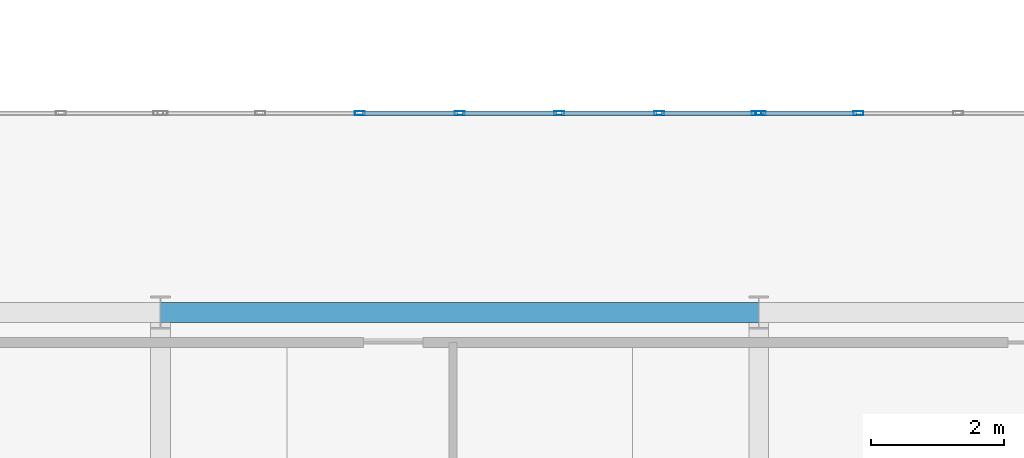
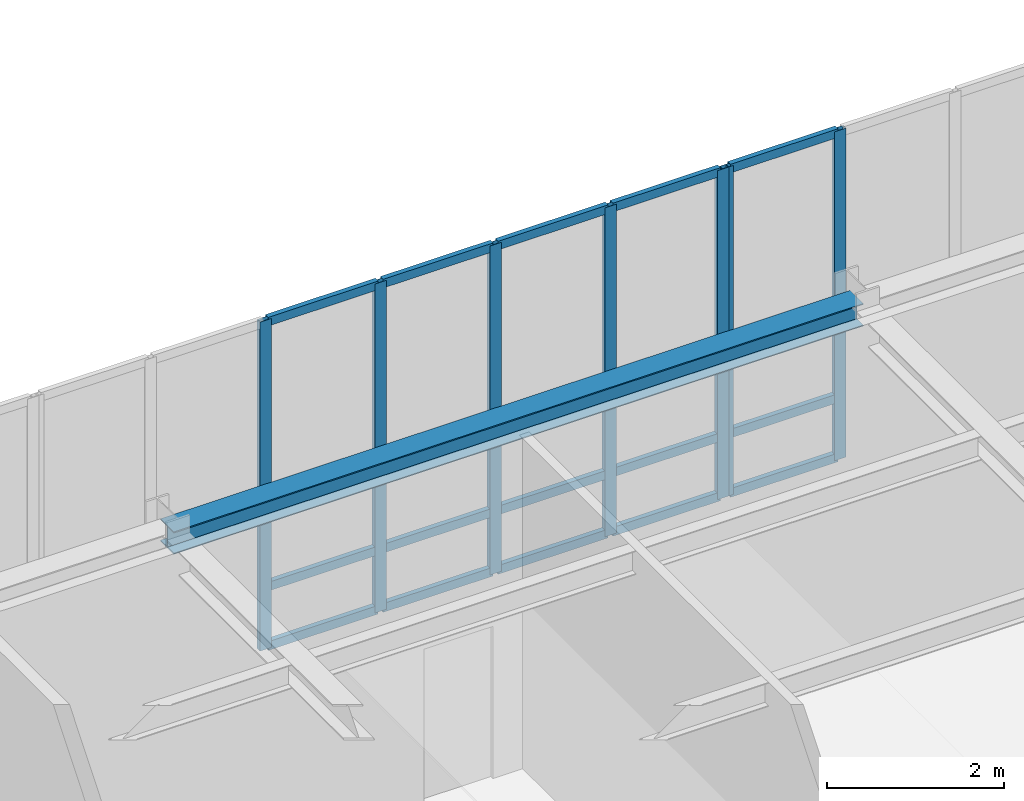
# One storey, part 18 of 98: 22 members, 1 beam, 2 elements without a shape of their own.
"""IFC4 building model written with IfcOpenShell, lengths in metres."""

from ifc_helpers import new_model, si_unit, direction, frame, origin, origin_2d, place, context, subcontext, project, spatial, hollow_rectangle, i_section, extrude, material, material_profile, profile_set, type_object, element, aggregate, save


model = new_model("IFC4")

# Units and contexts
model_context = context("Model", 3, precision=1e-05, world=origin(), true_north=direction((0.0, 1.0)))
body_context = subcontext(model_context, "Body", "Model", "MODEL_VIEW")
ifc_project = project(units=[si_unit("LENGTHUNIT", "METRE"), si_unit("AREAUNIT", "SQUARE_METRE"), si_unit("VOLUMEUNIT", "CUBIC_METRE"), si_unit("PLANEANGLEUNIT", "RADIAN"), si_unit("MASSUNIT", "GRAM", prefix="KILO")], contexts=[model_context])

# Site, building, storey
site_placement = place(None, origin())
site = spatial("IfcSite", under=ifc_project, at=site_placement, CompositionType="ELEMENT")
building_placement = place(site_placement, origin())
building = spatial("IfcBuilding", under=site, at=building_placement, Name="Lykobir Media Centre", CompositionType="ELEMENT")
storey_placement = place(building_placement, frame((0.0, 0.0, 10.199951171875)))
storey = spatial("IfcBuildingStorey", under=building, at=storey_placement, Name="L02", CompositionType="ELEMENT", Elevation=10.199951171875)

# Curtain wall, members
ifc_material_1 = material(Name="Anodized Aluminium AW-6060", Category="aluminium")
curtain_wall_type = type_object("IfcCurtainWallType", Name="CW-COURT-A", PredefinedType="NOTDEFINED", material=ifc_material_1)
curtain_wall_1_placement = place(storey_placement, origin())
curtain_wall_1 = element("IfcCurtainWall", 1, at=curtain_wall_1_placement, inside=storey, type_object=curtain_wall_type, Name="Curtain wall CW2-L02-0074", PredefinedType="NOTDEFINED")
ifc_material_profile_1 = material_profile(ifc_material_1, hollow_rectangle(XDim=0.06494140625, YDim=0.14990234375, WallThickness=0.00341796875, at=origin_2d()), Name="ALU MULLION 65x150")
ifc_profile_set_1 = profile_set([ifc_material_profile_1], Name="Anodized Aluminium AW-6060")
member_type_1 = type_object("IfcMemberType", Name="CWM-150", PredefinedType="MULLION", material=ifc_profile_set_1)
member_1_placement = place(storey_placement, frame((48.0, 21.0, 0.0), z_axis=(0.0, 0.0, 1.0), x_axis=(0.0, 1.0, 0.0)))
member_1 = element("IfcMember", 2, at=member_1_placement, type_object=member_type_1, Name="CW2-L02-0074 mullion 3", PredefinedType="MULLION", context=body_context, shape_type="SweptSolid", body=[
    extrude(hollow_rectangle(XDim=0.06494140625, YDim=0.14990234375, WallThickness=0.00341796875, at=origin_2d()), origin(), (0.0, 0.0, 1.0), 4.5400390625),
])
member_2_placement = place(storey_placement, frame((49.5, 21.0, 0.0), z_axis=(0.0, 0.0, 1.0), x_axis=(0.0, 1.0, 0.0)))
member_2 = element("IfcMember", 3, at=member_2_placement, type_object=member_type_1, Name="CW2-L02-0074 mullion 4", PredefinedType="MULLION", context=body_context, shape_type="SweptSolid", body=[
    extrude(hollow_rectangle(XDim=0.06494140625, YDim=0.14990234375, WallThickness=0.00341796875, at=origin_2d()), origin(), (0.0, 0.0, 1.0), 4.5400390625),
])
member_3_placement = place(storey_placement, frame((51.0, 21.0, 0.0), z_axis=(0.0, 0.0, 1.0), x_axis=(0.0, 1.0, 0.0)))
member_3 = element("IfcMember", 4, at=member_3_placement, type_object=member_type_1, Name="CW2-L02-0074 mullion 5", PredefinedType="MULLION", context=body_context, shape_type="SweptSolid", body=[
    extrude(hollow_rectangle(XDim=0.06494140625, YDim=0.14990234375, WallThickness=0.00341796875, at=origin_2d()), origin(), (0.0, 0.0, 1.0), 4.5400390625),
])
member_4_placement = place(storey_placement, frame((52.5, 21.0, 0.0), z_axis=(0.0, 0.0, 1.0), x_axis=(0.0, 1.0, 0.0)))
member_4 = element("IfcMember", 5, at=member_4_placement, type_object=member_type_1, Name="CW2-L02-0074 mullion 6", PredefinedType="MULLION", context=body_context, shape_type="SweptSolid", body=[
    extrude(hollow_rectangle(XDim=0.06494140625, YDim=0.14990234375, WallThickness=0.00341796875, at=origin_2d()), origin(), (0.0, 0.0, 1.0), 4.5400390625),
])
member_5_placement = place(storey_placement, frame((53.967529296875, 21.0, 0.0), z_axis=(0.0, 0.0, 1.0), x_axis=(0.0, 1.0, 0.0)))
member_5 = element("IfcMember", 6, at=member_5_placement, type_object=member_type_1, Name="CW2-L02-0074 mullion 7", PredefinedType="MULLION", context=body_context, shape_type="SweptSolid", body=[
    extrude(hollow_rectangle(XDim=0.06494140625, YDim=0.14990234375, WallThickness=0.00341796875, at=origin_2d()), origin(), (0.0, 0.0, 1.0), 4.5400390625),
])

curtain_wall_2_placement = place(storey_placement, origin())
curtain_wall_2 = element("IfcCurtainWall", 7, at=curtain_wall_2_placement, inside=storey, type_object=curtain_wall_type, Name="Curtain wall CW2-L02-0075", PredefinedType="NOTDEFINED")
member_6_placement = place(storey_placement, frame((54.032470703125, 21.0, 0.0), z_axis=(0.0, 0.0, 1.0), x_axis=(0.0, 1.0, 0.0)))
member_6 = element("IfcMember", 8, at=member_6_placement, type_object=member_type_1, Name="CW2-L02-0075 mullion 1", PredefinedType="MULLION", context=body_context, shape_type="SweptSolid", body=[
    extrude(hollow_rectangle(XDim=0.06494140625, YDim=0.14990234375, WallThickness=0.00341796875, at=origin_2d()), origin(), (0.0, 0.0, 1.0), 4.5400390625),
])
member_7_placement = place(storey_placement, frame((55.5, 21.0, 0.0), z_axis=(0.0, 0.0, 1.0), x_axis=(0.0, 1.0, 0.0)))
member_7 = element("IfcMember", 9, at=member_7_placement, type_object=member_type_1, Name="CW2-L02-0075 mullion 2", PredefinedType="MULLION", context=body_context, shape_type="SweptSolid", body=[
    extrude(hollow_rectangle(XDim=0.06494140625, YDim=0.14990234375, WallThickness=0.00341796875, at=origin_2d()), origin(), (0.0, 0.0, 1.0), 4.5400390625),
])

# Member
ifc_material_profile_2 = material_profile(ifc_material_1, hollow_rectangle(XDim=0.06494140625, YDim=0.1201171875, WallThickness=0.0029296875, at=origin_2d()), Name="ALU TRANSOM 65x120")
ifc_profile_set_2 = profile_set([ifc_material_profile_2], Name="Anodized Aluminium AW-6060")
member_type_2 = type_object("IfcMemberType", Name="CWT-120", PredefinedType="USERDEFINED", material=ifc_profile_set_2)
member_8_placement = place(storey_placement, frame((48.032470703125, 21.0, 0.032470703125), z_axis=(1.0, 0.0, 0.0), x_axis=(0.0, 1.0, 0.0)))
member_8 = element("IfcMember", 10, at=member_8_placement, type_object=member_type_2, Name="CW2-L02-0074 transom 3.1", ObjectType="TRANSOM", PredefinedType="USERDEFINED", context=body_context, shape_type="SweptSolid", body=[
    extrude(hollow_rectangle(XDim=0.06494140625, YDim=0.1201171875, WallThickness=0.0029296875, at=origin_2d()), origin(), (0.0, 0.0, 1.0), 1.43505859375),
])

member_9_placement = place(storey_placement, frame((48.032470703125, 21.0, 0.85009765625), z_axis=(1.0, 0.0, 0.0), x_axis=(0.0, 1.0, 0.0)))
member_9 = element("IfcMember", 11, at=member_9_placement, type_object=member_type_2, Name="CW2-L02-0074 transom 3.2", ObjectType="TRANSOM", PredefinedType="USERDEFINED", context=body_context, shape_type="SweptSolid", body=[
    extrude(hollow_rectangle(XDim=0.06494140625, YDim=0.1201171875, WallThickness=0.0029296875, at=origin_2d()), origin(), (0.0, 0.0, 1.0), 1.43505859375),
])

member_10_placement = place(storey_placement, frame((48.032470703125, 21.0, 4.507568359375), z_axis=(1.0, 0.0, 0.0), x_axis=(0.0, 1.0, 0.0)))
member_10 = element("IfcMember", 12, at=member_10_placement, type_object=member_type_2, Name="CW2-L02-0074 transom 3.3", ObjectType="TRANSOM", PredefinedType="USERDEFINED", context=body_context, shape_type="SweptSolid", body=[
    extrude(hollow_rectangle(XDim=0.06494140625, YDim=0.1201171875, WallThickness=0.0029296875, at=origin_2d()), origin(), (0.0, 0.0, 1.0), 1.43505859375),
])

member_11_placement = place(storey_placement, frame((49.532470703125, 21.0, 0.032470703125), z_axis=(1.0, 0.0, 0.0), x_axis=(0.0, 1.0, 0.0)))
member_11 = element("IfcMember", 13, at=member_11_placement, type_object=member_type_2, Name="CW2-L02-0074 transom 4.1", ObjectType="TRANSOM", PredefinedType="USERDEFINED", context=body_context, shape_type="SweptSolid", body=[
    extrude(hollow_rectangle(XDim=0.06494140625, YDim=0.1201171875, WallThickness=0.0029296875, at=origin_2d()), origin(), (0.0, 0.0, 1.0), 1.43505859375),
])

member_12_placement = place(storey_placement, frame((49.532470703125, 21.0, 0.85009765625), z_axis=(1.0, 0.0, 0.0), x_axis=(0.0, 1.0, 0.0)))
member_12 = element("IfcMember", 14, at=member_12_placement, type_object=member_type_2, Name="CW2-L02-0074 transom 4.2", ObjectType="TRANSOM", PredefinedType="USERDEFINED", context=body_context, shape_type="SweptSolid", body=[
    extrude(hollow_rectangle(XDim=0.06494140625, YDim=0.1201171875, WallThickness=0.0029296875, at=origin_2d()), origin(), (0.0, 0.0, 1.0), 1.43505859375),
])

member_13_placement = place(storey_placement, frame((49.532470703125, 21.0, 4.507568359375), z_axis=(1.0, 0.0, 0.0), x_axis=(0.0, 1.0, 0.0)))
member_13 = element("IfcMember", 15, at=member_13_placement, type_object=member_type_2, Name="CW2-L02-0074 transom 4.3", ObjectType="TRANSOM", PredefinedType="USERDEFINED", context=body_context, shape_type="SweptSolid", body=[
    extrude(hollow_rectangle(XDim=0.06494140625, YDim=0.1201171875, WallThickness=0.0029296875, at=origin_2d()), origin(), (0.0, 0.0, 1.0), 1.43505859375),
])

member_14_placement = place(storey_placement, frame((51.032470703125, 21.0, 0.032470703125), z_axis=(1.0, 0.0, 0.0), x_axis=(0.0, 1.0, 0.0)))
member_14 = element("IfcMember", 16, at=member_14_placement, type_object=member_type_2, Name="CW2-L02-0074 transom 5.1", ObjectType="TRANSOM", PredefinedType="USERDEFINED", context=body_context, shape_type="SweptSolid", body=[
    extrude(hollow_rectangle(XDim=0.06494140625, YDim=0.1201171875, WallThickness=0.0029296875, at=origin_2d()), origin(), (0.0, 0.0, 1.0), 1.43505859375),
])

member_15_placement = place(storey_placement, frame((51.032470703125, 21.0, 0.85009765625), z_axis=(1.0, 0.0, 0.0), x_axis=(0.0, 1.0, 0.0)))
member_15 = element("IfcMember", 17, at=member_15_placement, type_object=member_type_2, Name="CW2-L02-0074 transom 5.2", ObjectType="TRANSOM", PredefinedType="USERDEFINED", context=body_context, shape_type="SweptSolid", body=[
    extrude(hollow_rectangle(XDim=0.06494140625, YDim=0.1201171875, WallThickness=0.0029296875, at=origin_2d()), origin(), (0.0, 0.0, 1.0), 1.43505859375),
])

member_16_placement = place(storey_placement, frame((51.032470703125, 21.0, 4.507568359375), z_axis=(1.0, 0.0, 0.0), x_axis=(0.0, 1.0, 0.0)))
member_16 = element("IfcMember", 18, at=member_16_placement, type_object=member_type_2, Name="CW2-L02-0074 transom 5.3", ObjectType="TRANSOM", PredefinedType="USERDEFINED", context=body_context, shape_type="SweptSolid", body=[
    extrude(hollow_rectangle(XDim=0.06494140625, YDim=0.1201171875, WallThickness=0.0029296875, at=origin_2d()), origin(), (0.0, 0.0, 1.0), 1.43505859375),
])

member_17_placement = place(storey_placement, frame((52.532470703125, 21.0, 0.032470703125), z_axis=(1.0, 0.0, 0.0), x_axis=(0.0, 1.0, 0.0)))
member_17 = element("IfcMember", 19, at=member_17_placement, type_object=member_type_2, Name="CW2-L02-0074 transom 6.1", ObjectType="TRANSOM", PredefinedType="USERDEFINED", context=body_context, shape_type="SweptSolid", body=[
    extrude(hollow_rectangle(XDim=0.06494140625, YDim=0.1201171875, WallThickness=0.0029296875, at=origin_2d()), origin(), (0.0, 0.0, 1.0), 1.402587890625),
])

member_18_placement = place(storey_placement, frame((52.532470703125, 21.0, 0.85009765625), z_axis=(1.0, 0.0, 0.0), x_axis=(0.0, 1.0, 0.0)))
member_18 = element("IfcMember", 20, at=member_18_placement, type_object=member_type_2, Name="CW2-L02-0074 transom 6.2", ObjectType="TRANSOM", PredefinedType="USERDEFINED", context=body_context, shape_type="SweptSolid", body=[
    extrude(hollow_rectangle(XDim=0.06494140625, YDim=0.1201171875, WallThickness=0.0029296875, at=origin_2d()), origin(), (0.0, 0.0, 1.0), 1.402587890625),
])

member_19_placement = place(storey_placement, frame((52.532470703125, 21.0, 4.507568359375), z_axis=(1.0, 0.0, 0.0), x_axis=(0.0, 1.0, 0.0)))
member_19 = element("IfcMember", 21, at=member_19_placement, type_object=member_type_2, Name="CW2-L02-0074 transom 6.3", ObjectType="TRANSOM", PredefinedType="USERDEFINED", context=body_context, shape_type="SweptSolid", body=[
    extrude(hollow_rectangle(XDim=0.06494140625, YDim=0.1201171875, WallThickness=0.0029296875, at=origin_2d()), origin(), (0.0, 0.0, 1.0), 1.402587890625),
])

aggregate(curtain_wall_1, [member_1, member_2, member_3, member_4, member_5, member_8, member_9, member_10, member_11, member_12, member_13, member_14, member_15, member_16, member_17, member_18, member_19])

member_20_placement = place(storey_placement, frame((54.06494140625, 21.0, 0.032470703125), z_axis=(1.0, 0.0, 0.0), x_axis=(0.0, 1.0, 0.0)))
member_20 = element("IfcMember", 22, at=member_20_placement, type_object=member_type_2, Name="CW2-L02-0075 transom 1.1", ObjectType="TRANSOM", PredefinedType="USERDEFINED", context=body_context, shape_type="SweptSolid", body=[
    extrude(hollow_rectangle(XDim=0.06494140625, YDim=0.1201171875, WallThickness=0.0029296875, at=origin_2d()), origin(), (0.0, 0.0, 1.0), 1.402587890625),
])

member_21_placement = place(storey_placement, frame((54.06494140625, 21.0, 0.85009765625), z_axis=(1.0, 0.0, 0.0), x_axis=(0.0, 1.0, 0.0)))
member_21 = element("IfcMember", 23, at=member_21_placement, type_object=member_type_2, Name="CW2-L02-0075 transom 1.2", ObjectType="TRANSOM", PredefinedType="USERDEFINED", context=body_context, shape_type="SweptSolid", body=[
    extrude(hollow_rectangle(XDim=0.06494140625, YDim=0.1201171875, WallThickness=0.0029296875, at=origin_2d()), origin(), (0.0, 0.0, 1.0), 1.402587890625),
])

member_22_placement = place(storey_placement, frame((54.06494140625, 21.0, 4.507568359375), z_axis=(1.0, 0.0, 0.0), x_axis=(0.0, 1.0, 0.0)))
member_22 = element("IfcMember", 24, at=member_22_placement, type_object=member_type_2, Name="CW2-L02-0075 transom 1.3", ObjectType="TRANSOM", PredefinedType="USERDEFINED", context=body_context, shape_type="SweptSolid", body=[
    extrude(hollow_rectangle(XDim=0.06494140625, YDim=0.1201171875, WallThickness=0.0029296875, at=origin_2d()), origin(), (0.0, 0.0, 1.0), 1.402587890625),
])

aggregate(curtain_wall_2, [member_6, member_7, member_20, member_21, member_22])

# Beam
ifc_material_2 = material(Name="Steel S355", Category="steel")
ifc_material_profile_3 = material_profile(ifc_material_2, i_section(OverallWidth=0.300048828125, OverallDepth=0.31005859375, WebThickness=0.009033203125, FlangeThickness=0.015380859375, at=origin_2d()), Name="HEA 320")
ifc_profile_set_3 = profile_set([ifc_material_profile_3], Name="Steel S355")
beam_type = type_object("IfcBeamType", Name="SP-HEA320", PredefinedType="SPANDREL", material=ifc_profile_set_3)
beam_placement = place(storey_placement, frame((45.0, 18.0, 4.405029296875), z_axis=(1.0, 0.0, 0.0), x_axis=(0.0, 1.0, 0.0)))
element("IfcBeam", 25, at=beam_placement, inside=storey, type_object=beam_type, Name="Beam BM-L02-0450-0180-0540-0180-1460", PredefinedType="SPANDREL", context=body_context, shape_type="SweptSolid", body=[
    extrude(i_section(OverallWidth=0.300048828125, OverallDepth=0.31005859375, WebThickness=0.009033203125, FlangeThickness=0.015380859375, at=origin_2d()), origin(), (0.0, 0.0, 1.0), 9.0),
])

save(model, "model.ifc")
